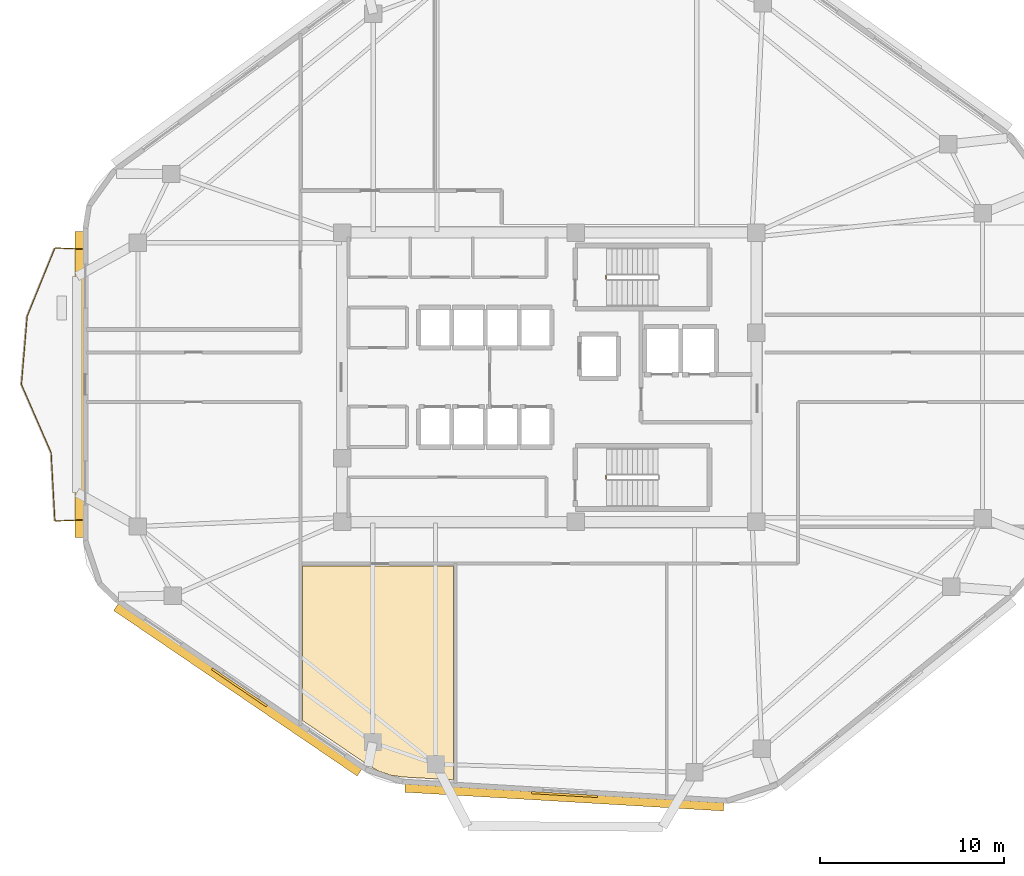
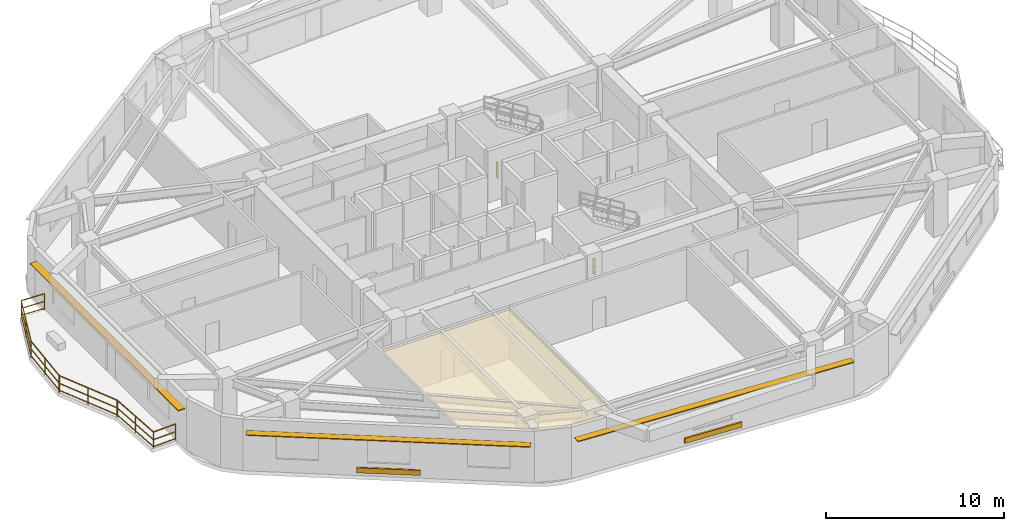
# One storey, part 7 of 9: 8 railings, 5 shading devices, 1 covering.
"""IFC4 building model written with IfcOpenShell, lengths in metres."""

from ifc_helpers import new_model, si_unit, direction, frame, origin, origin_2d, place, context, subcontext, project, spatial, polyline, rectangle, outline, extrude, material, layer, layer_set, type_object, element, save


model = new_model("IFC4")

# Units and contexts
model_context = context("Model", 3, precision=1e-05, world=origin(), true_north=direction((0.0, 1.0)))
body_context = subcontext(model_context, "Body", "Model", "MODEL_VIEW")
ifc_project = project(units=[si_unit("LENGTHUNIT", "METRE"), si_unit("AREAUNIT", "SQUARE_METRE"), si_unit("VOLUMEUNIT", "CUBIC_METRE"), si_unit("PLANEANGLEUNIT", "RADIAN"), si_unit("MASSUNIT", "GRAM", prefix="KILO")], contexts=[model_context])

# Site, building, storey
site_placement = place(None, origin())
site = spatial("IfcSite", under=ifc_project, at=site_placement, CompositionType="ELEMENT")
building_placement = place(site_placement, origin())
building = spatial("IfcBuilding", under=site, at=building_placement, Name="Zulverin Broadcast Headquarters", CompositionType="ELEMENT")
storey_placement = place(building_placement, frame((0.0, 0.0, 197.199951171875)))
storey = spatial("IfcBuildingStorey", under=building, at=storey_placement, Name="L50", CompositionType="ELEMENT", Elevation=197.199951171875)

# Covering
ifc_material_1 = material(Name="Perforated pale-metal acoustic baffle ceiling", Category="aluminium")
ifc_layer_1 = layer(ifc_material_1, 0.0400390625, Name="Perforated pale-metal acoustic baffle ceiling", Category="aluminium")
ifc_layer_set_1 = layer_set([ifc_layer_1], Name="Perforated pale-metal acoustic baffle ceiling")
covering_type = type_object("IfcCoveringType", Name="COV-CEIL-ACOU", PredefinedType="CEILING", material=ifc_layer_set_1)
covering_placement = place(storey_placement, frame((0.0, 0.0, 3.360107421875)))
element("IfcCovering", 1, at=covering_placement, inside=storey, type_object=covering_type, Name="L50 Acoustic Baffle Ceiling 03", PredefinedType="CEILING", context=body_context, shape_type="SweptSolid", body=[
    extrude(outline(polyline([(27.73193359375, 3.739990234375), (28.343994140625, 3.531982421875), (29.0, 3.431884765625), (31.780029296875, 3.27197265625), (31.780029296875, 14.931884765625), (23.572021484375, 14.931884765625), (23.572021484375, 6.49609375), (27.156005859375, 4.06396484375), (27.73193359375, 3.739990234375)])), origin(), (0.0, 0.0, 1.0), 0.0400390625),
])

# Railings
ifc_material_2 = material(Name="Brushed stainless steel & laminated glass balustrade", Category="steel")
railing_type_1 = type_object("IfcRailingType", Name="RL-GUARD-1150", PredefinedType="GUARDRAIL", material=ifc_material_2)
railing_1_placement = place(storey_placement, frame((11.56005859375, 32.180419921875, 0.0)))
element("IfcRailing", 2, at=railing_1_placement, inside=storey, type_object=railing_type_1, Name="L50 Vertical-Forest Balcony Guardrail BAL_W Segment 01", PredefinedType="GUARDRAIL", context=body_context, shape_type="SweptSolid", body=[
    extrude(rectangle(XDim=0.048095703125, YDim=0.048095703125, at=origin_2d()), frame((0.0, 0.0, 1.1259765625), z_axis=(-0.999181155166, 0.040460093435, 0.0), x_axis=(-0.040460093435, -0.999181155166, 0.0)), (0.0, 0.0, 1.0), 1.46630859375),
    extrude(rectangle(XDim=0.0419921875, YDim=0.0419921875, at=origin_2d()), frame((0.0, 0.0, 0.597900390625), z_axis=(-0.999181155166, 0.040460093435, 0.0), x_axis=(-0.040460093435, -0.999181155166, 0.0)), (0.0, 0.0, 1.0), 1.46630859375),
    extrude(rectangle(XDim=0.0419921875, YDim=0.0419921875, at=origin_2d()), frame((0.0, 0.0, 0.1201171875), z_axis=(-0.999181155166, 0.040460093435, 0.0), x_axis=(-0.040460093435, -0.999181155166, 0.0)), (0.0, 0.0, 1.0), 1.46630859375),
    extrude(rectangle(XDim=0.0419921875, YDim=0.0419921875, at=origin_2d()), origin(), (0.0, 0.0, 1.0), 1.101806640625),
    extrude(rectangle(XDim=0.0419921875, YDim=0.0419921875, at=origin_2d()), frame((-1.465087890625, 0.059326171875, 0.0)), (0.0, 0.0, 1.0), 1.101806640625),
])
railing_2_placement = place(storey_placement, frame((10.074462890625, 32.226318359375, 0.0)))
element("IfcRailing", 3, at=railing_2_placement, inside=storey, type_object=railing_type_1, Name="L50 Vertical-Forest Balcony Guardrail BAL_W Segment 02", PredefinedType="GUARDRAIL", context=body_context, shape_type="SweptSolid", body=[
    extrude(rectangle(XDim=0.048095703125, YDim=0.048095703125, at=origin_2d()), frame((0.0, 0.0, 1.1259765625), z_axis=(-0.376173163344, -0.926549378705, 0.0), x_axis=(0.926549378705, -0.376173163344, 0.0)), (0.0, 0.0, 1.0), 3.98291015625),
    extrude(rectangle(XDim=0.0419921875, YDim=0.0419921875, at=origin_2d()), frame((0.0, 0.0, 0.597900390625), z_axis=(-0.376173163344, -0.926549378705, 0.0), x_axis=(0.926549378705, -0.376173163344, 0.0)), (0.0, 0.0, 1.0), 3.98291015625),
    extrude(rectangle(XDim=0.0419921875, YDim=0.0419921875, at=origin_2d()), frame((0.0, 0.0, 0.1201171875), z_axis=(-0.376173163344, -0.926549378705, 0.0), x_axis=(0.926549378705, -0.376173163344, 0.0)), (0.0, 0.0, 1.0), 3.98291015625),
    extrude(rectangle(XDim=0.0419921875, YDim=0.0419921875, at=origin_2d()), origin(), (0.0, 0.0, 1.0), 1.101806640625),
    extrude(rectangle(XDim=0.0419921875, YDim=0.0419921875, at=origin_2d()), frame((-0.7490234375, -1.84521484375, 0.0)), (0.0, 0.0, 1.0), 1.101806640625),
    extrude(rectangle(XDim=0.0419921875, YDim=0.0419921875, at=origin_2d()), frame((-1.498291015625, -3.6904296875, 0.0)), (0.0, 0.0, 1.0), 1.101806640625),
])
railing_3_placement = place(storey_placement, frame((8.5693359375, 28.507080078125, 0.0)))
element("IfcRailing", 4, at=railing_3_placement, inside=storey, type_object=railing_type_1, Name="L50 Vertical-Forest Balcony Guardrail BAL_W Segment 03", PredefinedType="GUARDRAIL", context=body_context, shape_type="SweptSolid", body=[
    extrude(rectangle(XDim=0.048095703125, YDim=0.048095703125, at=origin_2d()), frame((0.0, 0.0, 1.1259765625), z_axis=(-0.084033479515, -0.996462931734, 0.0), x_axis=(0.996462931734, -0.084033479515, 0.0)), (0.0, 0.0, 1.0), 3.701416015625),
    extrude(rectangle(XDim=0.0419921875, YDim=0.0419921875, at=origin_2d()), frame((0.0, 0.0, 0.597900390625), z_axis=(-0.084033479515, -0.996462931734, 0.0), x_axis=(0.996462931734, -0.084033479515, 0.0)), (0.0, 0.0, 1.0), 3.701416015625),
    extrude(rectangle(XDim=0.0419921875, YDim=0.0419921875, at=origin_2d()), frame((0.0, 0.0, 0.1201171875), z_axis=(-0.084033479515, -0.996462931734, 0.0), x_axis=(0.996462931734, -0.084033479515, 0.0)), (0.0, 0.0, 1.0), 3.701416015625),
    extrude(rectangle(XDim=0.0419921875, YDim=0.0419921875, at=origin_2d()), origin(), (0.0, 0.0, 1.0), 1.101806640625),
    extrude(rectangle(XDim=0.0419921875, YDim=0.0419921875, at=origin_2d()), frame((-0.155517578125, -1.84423828125, 0.0)), (0.0, 0.0, 1.0), 1.101806640625),
    extrude(rectangle(XDim=0.0419921875, YDim=0.0419921875, at=origin_2d()), frame((-0.31103515625, -3.688232421875, 0.0)), (0.0, 0.0, 1.0), 1.101806640625),
])
railing_4_placement = place(storey_placement, frame((8.262939453125, 24.790283203125, 0.0)))
element("IfcRailing", 5, at=railing_4_placement, inside=storey, type_object=railing_type_1, Name="L50 Vertical-Forest Balcony Guardrail BAL_W Segment 04", PredefinedType="GUARDRAIL", context=body_context, shape_type="SweptSolid", body=[
    extrude(rectangle(XDim=0.048095703125, YDim=0.048095703125, at=origin_2d()), frame((0.0, 0.0, 1.1259765625), z_axis=(0.399001122886, -0.916950437012, 0.0), x_axis=(0.916950437012, 0.399001122886, 0.0)), (0.0, 0.0, 1.0), 4.02490234375),
    extrude(rectangle(XDim=0.0419921875, YDim=0.0419921875, at=origin_2d()), frame((0.0, 0.0, 0.597900390625), z_axis=(0.399001122886, -0.916950437012, 0.0), x_axis=(0.916950437012, 0.399001122886, 0.0)), (0.0, 0.0, 1.0), 4.02490234375),
    extrude(rectangle(XDim=0.0419921875, YDim=0.0419921875, at=origin_2d()), frame((0.0, 0.0, 0.1201171875), z_axis=(0.399001122886, -0.916950437012, 0.0), x_axis=(0.916950437012, 0.399001122886, 0.0)), (0.0, 0.0, 1.0), 4.02490234375),
    extrude(rectangle(XDim=0.0419921875, YDim=0.0419921875, at=origin_2d()), origin(), (0.0, 0.0, 1.0), 1.101806640625),
    extrude(rectangle(XDim=0.0419921875, YDim=0.0419921875, at=origin_2d()), frame((0.802978515625, -1.84521484375, 0.0)), (0.0, 0.0, 1.0), 1.101806640625),
    extrude(rectangle(XDim=0.0419921875, YDim=0.0419921875, at=origin_2d()), frame((1.60595703125, -3.690673828125, 0.0)), (0.0, 0.0, 1.0), 1.101806640625),
])
railing_5_placement = place(storey_placement, frame((9.87548828125, 21.07080078125, 0.0)))
element("IfcRailing", 6, at=railing_5_placement, inside=storey, type_object=railing_type_1, Name="L50 Vertical-Forest Balcony Guardrail BAL_W Segment 05", PredefinedType="GUARDRAIL", context=body_context, shape_type="SweptSolid", body=[
    extrude(rectangle(XDim=0.048095703125, YDim=0.048095703125, at=origin_2d()), frame((0.0, 0.0, 1.1259765625), z_axis=(0.055122260987, -0.998479612383, 0.0), x_axis=(0.998479612383, 0.055122260987, 0.0)), (0.0, 0.0, 1.0), 3.69384765625),
    extrude(rectangle(XDim=0.0419921875, YDim=0.0419921875, at=origin_2d()), frame((0.0, 0.0, 0.597900390625), z_axis=(0.055122260987, -0.998479612383, 0.0), x_axis=(0.998479612383, 0.055122260987, 0.0)), (0.0, 0.0, 1.0), 3.69384765625),
    extrude(rectangle(XDim=0.0419921875, YDim=0.0419921875, at=origin_2d()), frame((0.0, 0.0, 0.1201171875), z_axis=(0.055122260987, -0.998479612383, 0.0), x_axis=(0.998479612383, 0.055122260987, 0.0)), (0.0, 0.0, 1.0), 3.69384765625),
    extrude(rectangle(XDim=0.0419921875, YDim=0.0419921875, at=origin_2d()), origin(), (0.0, 0.0, 1.0), 1.101806640625),
    extrude(rectangle(XDim=0.0419921875, YDim=0.0419921875, at=origin_2d()), frame((0.101806640625, -1.84423828125, 0.0)), (0.0, 0.0, 1.0), 1.101806640625),
    extrude(rectangle(XDim=0.0419921875, YDim=0.0419921875, at=origin_2d()), frame((0.20361328125, -3.688232421875, 0.0)), (0.0, 0.0, 1.0), 1.101806640625),
])
railing_6_placement = place(storey_placement, frame((10.094970703125, 17.3681640625, 0.0)))
element("IfcRailing", 7, at=railing_6_placement, inside=storey, type_object=railing_type_1, Name="L50 Vertical-Forest Balcony Guardrail BAL_W Segment 06", PredefinedType="GUARDRAIL", context=body_context, shape_type="SweptSolid", body=[
    extrude(rectangle(XDim=0.048095703125, YDim=0.048095703125, at=origin_2d()), frame((0.0, 0.0, 1.1259765625), z_axis=(0.999181155166, 0.040460093435, 0.0), x_axis=(-0.040460093435, 0.999181155166, 0.0)), (0.0, 0.0, 1.0), 1.46630859375),
    extrude(rectangle(XDim=0.0419921875, YDim=0.0419921875, at=origin_2d()), frame((0.0, 0.0, 0.597900390625), z_axis=(0.999181155166, 0.040460093435, 0.0), x_axis=(-0.040460093435, 0.999181155166, 0.0)), (0.0, 0.0, 1.0), 1.46630859375),
    extrude(rectangle(XDim=0.0419921875, YDim=0.0419921875, at=origin_2d()), frame((0.0, 0.0, 0.1201171875), z_axis=(0.999181155166, 0.040460093435, 0.0), x_axis=(-0.040460093435, 0.999181155166, 0.0)), (0.0, 0.0, 1.0), 1.46630859375),
    extrude(rectangle(XDim=0.0419921875, YDim=0.0419921875, at=origin_2d()), origin(), (0.0, 0.0, 1.0), 1.101806640625),
    extrude(rectangle(XDim=0.0419921875, YDim=0.0419921875, at=origin_2d()), frame((1.465087890625, 0.059326171875, 0.0)), (0.0, 0.0, 1.0), 1.101806640625),
])
ifc_material_3 = material(Name="Painted galvanized steel tubular guardrail S355JR", Category="steel")
railing_type_2 = type_object("IfcRailingType", Name="RL-ST-GUARD", PredefinedType="GUARDRAIL", material=ifc_material_3)
railing_7_placement = place(storey_placement, frame((40.080078125, 30.550048828125, 0.0)))
element("IfcRailing", 8, at=railing_7_placement, inside=storey, type_object=railing_type_2, Name="L50 ST-1 stair guard 4", PredefinedType="GUARDRAIL", context=body_context, shape_type="SweptSolid", body=[
    extrude(rectangle(XDim=0.048095703125, YDim=0.048095703125, at=origin_2d()), frame((0.0, 0.0, 1.076171875), z_axis=(0.0, 1.0, 0.0), x_axis=(-1.0, 0.0, 0.0)), (0.0, 0.0, 1.0), 0.199951171875),
    extrude(rectangle(XDim=0.0419921875, YDim=0.0419921875, at=origin_2d()), frame((0.0, 0.0, 0.572021484375), z_axis=(0.0, 1.0, 0.0), x_axis=(-1.0, 0.0, 0.0)), (0.0, 0.0, 1.0), 0.199951171875),
    extrude(rectangle(XDim=0.0419921875, YDim=0.0419921875, at=origin_2d()), frame((0.0, 0.0, 0.1201171875), z_axis=(0.0, 1.0, 0.0), x_axis=(-1.0, 0.0, 0.0)), (0.0, 0.0, 1.0), 0.199951171875),
    extrude(rectangle(XDim=0.0419921875, YDim=0.0419921875, at=origin_2d()), origin(), (0.0, 0.0, 1.0), 1.052001953125),
    extrude(rectangle(XDim=0.0419921875, YDim=0.0419921875, at=origin_2d()), frame((0.0, 0.199951171875, 0.0)), (0.0, 0.0, 1.0), 1.052001953125),
])
railing_8_placement = place(storey_placement, frame((40.080078125, 19.64990234375, 0.0)))
element("IfcRailing", 9, at=railing_8_placement, inside=storey, type_object=railing_type_2, Name="L50 ST-2 stair guard 4", PredefinedType="GUARDRAIL", context=body_context, shape_type="SweptSolid", body=[
    extrude(rectangle(XDim=0.048095703125, YDim=0.048095703125, at=origin_2d()), frame((0.0, 0.0, 1.076171875), z_axis=(0.0, 1.0, 0.0), x_axis=(-1.0, 0.0, 0.0)), (0.0, 0.0, 1.0), 0.2001953125),
    extrude(rectangle(XDim=0.0419921875, YDim=0.0419921875, at=origin_2d()), frame((0.0, 0.0, 0.572021484375), z_axis=(0.0, 1.0, 0.0), x_axis=(-1.0, 0.0, 0.0)), (0.0, 0.0, 1.0), 0.2001953125),
    extrude(rectangle(XDim=0.0419921875, YDim=0.0419921875, at=origin_2d()), frame((0.0, 0.0, 0.1201171875), z_axis=(0.0, 1.0, 0.0), x_axis=(-1.0, 0.0, 0.0)), (0.0, 0.0, 1.0), 0.2001953125),
    extrude(rectangle(XDim=0.0419921875, YDim=0.0419921875, at=origin_2d()), origin(), (0.0, 0.0, 1.0), 1.052001953125),
    extrude(rectangle(XDim=0.0419921875, YDim=0.0419921875, at=origin_2d()), frame((0.0, 0.2001953125, 0.0)), (0.0, 0.0, 1.0), 1.052001953125),
])

# Shading devices
ifc_material_4 = material(Name="Anodized pale-metal aluminium acoustic louvre", Category="aluminium")
shading_device_type_1 = type_object("IfcShadingDeviceType", Name="SHD-LOUVRE-350", PredefinedType="USERDEFINED", material=ifc_material_4)
for number, where, z_axis, x_axis, name in (
    (10, (37.830810546875, 2.47314453125, 0.2451171875), (0.0, 0.0, 1.0), (0.998274435348, -0.058720965002, 0.0), "L50 Spandrel Intake Louvre 1"),
    (11, (20.125, 8.306884765625, 0.2451171875), (0.0, 0.0, 1.0), (0.82702465201, -0.562165656162, 0.0), "L50 Spandrel Intake Louvre 8"),
):
    element("IfcShadingDevice", number, at=place(storey_placement, frame(where, z_axis=z_axis, x_axis=x_axis)), inside=storey, type_object=shading_device_type_1, Name=name, ObjectType="LOUVRE", PredefinedType="USERDEFINED", context=body_context, shape_type="SweptSolid", body=[
        extrude(rectangle(XDim=3.60009765625, YDim=0.1201171875, at=origin_2d()), origin(), (0.0, 0.0, 1.0), 0.35009765625),
    ])
ifc_material_5 = material(Name="Anodized pale-metal aluminium sunshade", Category="aluminium")
ifc_layer_2 = layer(ifc_material_5, 0.06005859375, Name="Anodized pale-metal aluminium sunshade", Category="aluminium")
ifc_layer_set_2 = layer_set([ifc_layer_2], Name="Anodized pale-metal aluminium sunshade")
shading_device_type_2 = type_object("IfcShadingDeviceType", Name="SS-01_PALE_METAL_ALUMINIUM_SUNSHADE", PredefinedType="USERDEFINED", material=ifc_layer_set_2)
shading_device_1_placement = place(storey_placement, frame((37.821533203125, 2.3134765625, 2.7099609375), z_axis=(0.0, 0.0, 1.0), x_axis=(0.998274435348, -0.058720965002, 0.0)))
element("IfcShadingDevice", 12, at=shading_device_1_placement, inside=storey, type_object=shading_device_type_2, Name="L50 Horizontal Pale-Metal Sunshade Band 1", ObjectType="SUNSHADE", PredefinedType="USERDEFINED", context=body_context, shape_type="SweptSolid", body=[
    extrude(rectangle(XDim=17.38232421875, YDim=0.449951171875, at=origin_2d()), origin(), (0.0, 0.0, 1.0), 0.06005859375),
])
shading_device_2_placement = place(storey_placement, frame((11.39990234375, 24.803955078125, 2.7099609375), z_axis=(0.0, 0.0, 1.0), x_axis=(0.0, -1.0, 0.0)))
element("IfcShadingDevice", 13, at=shading_device_2_placement, inside=storey, type_object=shading_device_type_2, Name="L50 Horizontal Pale-Metal Sunshade Band 7", ObjectType="SUNSHADE", PredefinedType="USERDEFINED", context=body_context, shape_type="SweptSolid", body=[
    extrude(rectangle(XDim=16.672607421875, YDim=0.449951171875, at=origin_2d()), origin(), (0.0, 0.0, 1.0), 0.06005859375),
])
shading_device_3_placement = place(storey_placement, frame((20.034912109375, 8.17431640625, 2.7099609375), z_axis=(0.0, 0.0, 1.0), x_axis=(0.82702465201, -0.562165656162, 0.0)))
element("IfcShadingDevice", 14, at=shading_device_3_placement, inside=storey, type_object=shading_device_type_2, Name="L50 Horizontal Pale-Metal Sunshade Band 8", ObjectType="SUNSHADE", PredefinedType="USERDEFINED", context=body_context, shape_type="SweptSolid", body=[
    extrude(rectangle(XDim=16.03515625, YDim=0.449951171875, at=origin_2d()), origin(), (0.0, 0.0, 1.0), 0.06005859375),
])

save(model, "model.ifc")
